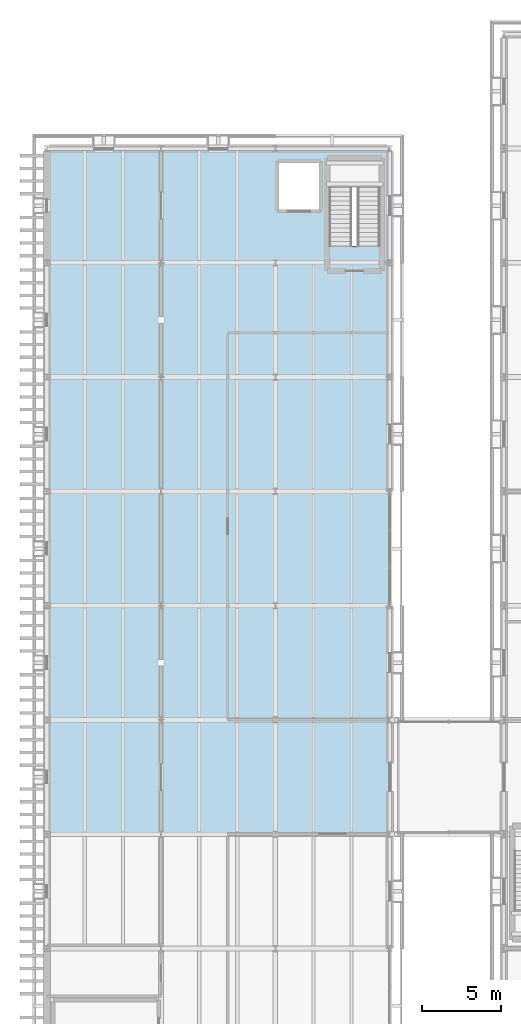
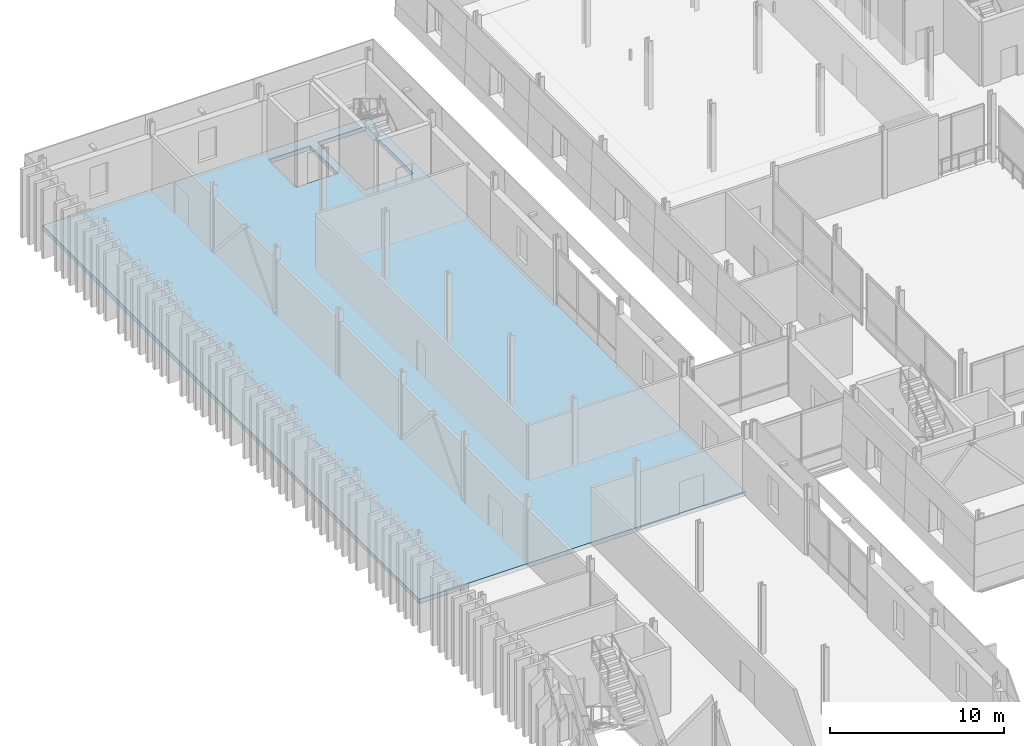
# One storey, part 60 of 121: 1 slab.
"""IFC4 building model written with IfcOpenShell, lengths in metres."""

import ifcopenshell
import ifcopenshell.guid

model = None  # the IFC model being written
_history = None  # IfcOwnerHistory: only IFC2X3 demands one
_inside = {}  # id of a spatial element -> (the spatial element, [elements in it])
_under = {}  # id of a project, library or spatial element -> (it, [spatial elements below it])
_declared = {}  # id of a project -> (the project, [libraries it declares])
_typed = {}  # id of a type object -> (the type object, [elements of that type])
_made_of = {}  # id of a material, layer set ... -> (it, [elements and type objects made of it])


def new_model(schema):
    """Start an empty IFC model of exactly this schema.

    Asked for "IFC4X3", IfcOpenShell would pick the latest addendum, in which some entities
    have other attributes; the version numbers below select the first issue.
    IFC2X3 requires an IfcOwnerHistory on every rooted entity: one is made here for all.
    """
    global model, _history
    if schema == "IFC4X3":
        model = ifcopenshell.file(schema_version=(4, 3, 0, 0))
    else:
        model = ifcopenshell.file(schema=schema)
    _inside.clear()
    _under.clear()
    _declared.clear()
    _typed.clear()
    _made_of.clear()
    _history = None
    if model.schema == "IFC2X3":
        org = make("IfcOrganization", Name="unknown")
        user = make(
            "IfcPersonAndOrganization",
            ThePerson=make("IfcPerson", FamilyName="unknown"),
            TheOrganization=org,
        )
        app = make(
            "IfcApplication",
            ApplicationDeveloper=org,
            Version="unknown",
            ApplicationFullName="unknown",
            ApplicationIdentifier="unknown",
        )
        _history = make(
            "IfcOwnerHistory",
            OwningUser=user,
            OwningApplication=app,
            ChangeAction="ADDED",
            CreationDate=0,
        )
    return model


def make(cls, **values):
    """One entity of the class cls with the attributes given. An attribute that is None is left unset."""
    return model.create_entity(
        cls, **{name: value for name, value in values.items() if value is not None}
    )


def rooted(cls, **values):
    """An entity with a GlobalId (a new one), such as an element, a storey or a relation."""
    return make(cls, GlobalId=ifcopenshell.guid.new(), OwnerHistory=_history, **values)


def si_unit(unit_type, name, prefix=None):
    """IfcSIUnit, for example si_unit("LENGTHUNIT", "METRE", prefix="MILLI")."""
    return make("IfcSIUnit", UnitType=unit_type, Prefix=prefix, Name=name)


def assignment(units):
    """IfcUnitAssignment: the units of a project."""
    return None if units is None else make("IfcUnitAssignment", Units=units)


def point(xyz):
    """IfcCartesianPoint."""
    return None if xyz is None else make("IfcCartesianPoint", Coordinates=xyz)


def direction(xyz):
    """IfcDirection."""
    return None if xyz is None else make("IfcDirection", DirectionRatios=xyz)


def frame(location, z_axis=None, x_axis=None):
    """IfcAxis2Placement3D, a coordinate frame: its origin and axes. An axis left out is left unset."""
    return make(
        "IfcAxis2Placement3D",
        Location=point(location),
        Axis=direction(z_axis),
        RefDirection=direction(x_axis),
    )


def origin():
    """The frame at (0, 0, 0) with its axes left unset."""
    return frame((0.0, 0.0, 0.0))


def place(relative_to, where):
    """IfcLocalPlacement: puts the frame where relative to a parent placement (None: the world)."""
    return make(
        "IfcLocalPlacement", PlacementRelTo=relative_to, RelativePlacement=where
    )


def context(
    kind, dimensions, precision=None, world=None, true_north=None, identifier=None
):
    """IfcGeometricRepresentationContext, for example the 3D "Model" context."""
    return make(
        "IfcGeometricRepresentationContext",
        ContextIdentifier=identifier,
        ContextType=kind,
        CoordinateSpaceDimension=dimensions,
        Precision=precision,
        WorldCoordinateSystem=world,
        TrueNorth=true_north,
    )


def subcontext(parent, identifier, kind, view, scale=None):
    """IfcGeometricRepresentationSubContext, for example "Body" below "Model"."""
    return make(
        "IfcGeometricRepresentationSubContext",
        ContextIdentifier=identifier,
        ContextType=kind,
        ParentContext=parent,
        TargetScale=scale,
        TargetView=view,
    )


def project(units=None, contexts=None):
    """IfcProject with its units and contexts."""
    return rooted(
        "IfcProject",
        Name="project",
        RepresentationContexts=contexts,
        UnitsInContext=assignment(units),
    )


def spatial(cls, under=None, at=None, **own):
    """A site, building, storey or space (cls), placed at a placement, below another one or the project."""
    s = rooted(cls, ObjectPlacement=at, **own)
    if under is not None:
        _under.setdefault(under.id(), (under, []))[1].append(s)
    return s


def polyline(points):
    """IfcPolyline through the points."""
    return make("IfcPolyline", Points=[point(p) for p in points])


def outline(outer, holes=None, kind="AREA"):
    """IfcArbitraryClosedProfileDef: a profile drawn as a closed curve; with holes, ...WithVoids."""
    if holes is None:
        return make("IfcArbitraryClosedProfileDef", ProfileType=kind, OuterCurve=outer)
    return make(
        "IfcArbitraryProfileDefWithVoids",
        ProfileType=kind,
        OuterCurve=outer,
        InnerCurves=holes,
    )


def extrude(swept, where, along, depth):
    """IfcExtrudedAreaSolid: the profile swept, set in the frame where, extruded along a direction by depth."""
    return make(
        "IfcExtrudedAreaSolid",
        SweptArea=swept,
        Position=where,
        ExtrudedDirection=direction(along),
        Depth=depth,
    )


def shape(context_of_items, identifier, shape_type, items):
    """IfcShapeRepresentation: the items that make up one representation, for example the "Body"."""
    return make(
        "IfcShapeRepresentation",
        ContextOfItems=context_of_items,
        RepresentationIdentifier=identifier,
        RepresentationType=shape_type,
        Items=items,
    )


def material(Name=None, Category=None):
    """IfcMaterial."""
    return make("IfcMaterial", Name=Name, Category=Category)


def layer(
    of_material, thickness, ventilated=None, Name=None, Category=None, Priority=None
):
    """IfcMaterialLayer: one layer of a wall or slab, of a material (None: an air gap)."""
    return make(
        "IfcMaterialLayer",
        Material=of_material,
        LayerThickness=thickness,
        IsVentilated=ventilated,
        Name=Name,
        Category=Category,
        Priority=Priority,
    )


def layer_set(layers, Name=None):
    """IfcMaterialLayerSet."""
    return make("IfcMaterialLayerSet", MaterialLayers=layers, LayerSetName=Name)


def made_of(thing, what):
    """Note that an element or type object is made of a material, layer set ...; save() writes the relation."""
    if what is not None:
        _made_of.setdefault(what.id(), (what, []))[1].append(thing)
    return thing


def type_object(cls, material=None, **own):
    """A type object (cls), such as IfcWallType, which elements share."""
    return made_of(rooted(cls, **own), material)


def element(
    cls,
    number,
    at=None,
    inside=None,
    cuts=None,
    type_object=None,
    material=None,
    context=None,
    identifier="Body",
    shape_type=None,
    held_by="IfcProductDefinitionShape",
    body=None,
    shapes=None,
    **own,
):
    """One element of the class cls, such as IfcWall. Its Tag is "e" and its number.

    at: its placement. inside: the storey or other place that contains it. cuts: it is an
    opening in that element (IfcRelVoidsElement). A single representation is given by context,
    identifier, shape_type and body (its items); several are given by shapes. held_by: the class
    of the entity that holds the representations. save() writes the other relations.
    """
    e = rooted(cls, Tag="e%d" % number, ObjectPlacement=at, **own)
    if body is not None:
        shapes = [shape(context, identifier, shape_type, body)]
    if shapes is not None:
        e.Representation = make(held_by, Representations=shapes)
    if inside is not None:
        _inside.setdefault(inside.id(), (inside, []))[1].append(e)
    if cuts is not None:
        rooted(
            "IfcRelVoidsElement", RelatingBuildingElement=cuts, RelatedOpeningElement=e
        )
    if type_object is not None:
        _typed.setdefault(type_object.id(), (type_object, []))[1].append(e)
    return made_of(e, material)


def aggregate(whole, parts):
    """IfcRelAggregates: a whole, such as a stair, and the parts it consists of."""
    return rooted("IfcRelAggregates", RelatingObject=whole, RelatedObjects=parts)


def save(model, path):
    """Write the relations noted so far, then the file.

    IfcRelAggregates (storeys below a building ...), IfcRelContainedInSpatialStructure (elements
    in a storey), IfcRelDefinesByType, IfcRelAssociatesMaterial and IfcRelDeclares: one each for
    every whole, place, type object, material and project.
    """
    for whole, parts in _under.values():
        aggregate(whole, parts)
    for where, things in _inside.values():
        rooted(
            "IfcRelContainedInSpatialStructure",
            RelatedElements=things,
            RelatingStructure=where,
        )
    for kind, things in _typed.values():
        rooted("IfcRelDefinesByType", RelatedObjects=things, RelatingType=kind)
    for what, things in _made_of.values():
        rooted("IfcRelAssociatesMaterial", RelatedObjects=things, RelatingMaterial=what)
    for by, libraries in _declared.values():
        rooted("IfcRelDeclares", RelatingContext=by, RelatedDefinitions=libraries)
    model.write(path)


model = new_model("IFC4")

# Units and contexts
model_context = context("Model", 3, precision=1e-05, world=origin(), true_north=direction((0.0, 1.0)))
body_context = subcontext(model_context, "Body", "Model", "MODEL_VIEW")
ifc_project = project(units=[si_unit("LENGTHUNIT", "METRE"), si_unit("AREAUNIT", "SQUARE_METRE"), si_unit("VOLUMEUNIT", "CUBIC_METRE"), si_unit("PLANEANGLEUNIT", "RADIAN"), si_unit("MASSUNIT", "GRAM", prefix="KILO")], contexts=[model_context])

# Site, building, storey
site_placement = place(None, origin())
site = spatial("IfcSite", under=ifc_project, at=site_placement, CompositionType="ELEMENT")
building_placement = place(site_placement, origin())
building = spatial("IfcBuilding", under=site, at=building_placement, Name="Narikvali Park Central Library", CompositionType="ELEMENT")
storey_placement = place(building_placement, frame((0.0, 0.0, 5.39990234375)))
storey = spatial("IfcBuildingStorey", under=building, at=storey_placement, Name="L01", CompositionType="ELEMENT", Elevation=5.39990234375)

# Slab
ifc_material = material(Name="Concrete C40/50", Category="concrete")
ifc_layer = layer(ifc_material, 0.300048828125, Name="Concrete C40/50")
ifc_layer_set = layer_set([ifc_layer], Name="Concrete C40/50")
slab_type = type_object("IfcSlabType", Name="Heavy Stack Composite Slab 300", PredefinedType="FLOOR", material=ifc_layer_set)
slab_placement = place(storey_placement, frame((0.0, 0.0, -0.2998046875)))
element("IfcSlab", 1, at=slab_placement, inside=storey, type_object=slab_type, Name="V5 L01 Structural Slab Panel 2", PredefinedType="FLOOR", context=body_context, shape_type="SweptSolid", body=[
    extrude(outline(polyline([(0.0, 64.800048828125), (21.60009765625, 64.800048828125), (21.60009765625, 108.0), (0.0, 108.0), (0.0, 64.800048828125)]), holes=[polyline([(17.800048828125, 101.85009765625), (21.0, 101.85009765625), (21.0, 107.300048828125), (17.800048828125, 107.300048828125), (17.800048828125, 101.85009765625)]), polyline([(14.52001953125, 104.050048828125), (17.27001953125, 104.050048828125), (17.27001953125, 107.199951171875), (14.52001953125, 107.199951171875), (14.52001953125, 104.050048828125)])]), origin(), (0.0, 0.0, 1.0), 0.2998046875),
])

save(model, "model.ifc")
